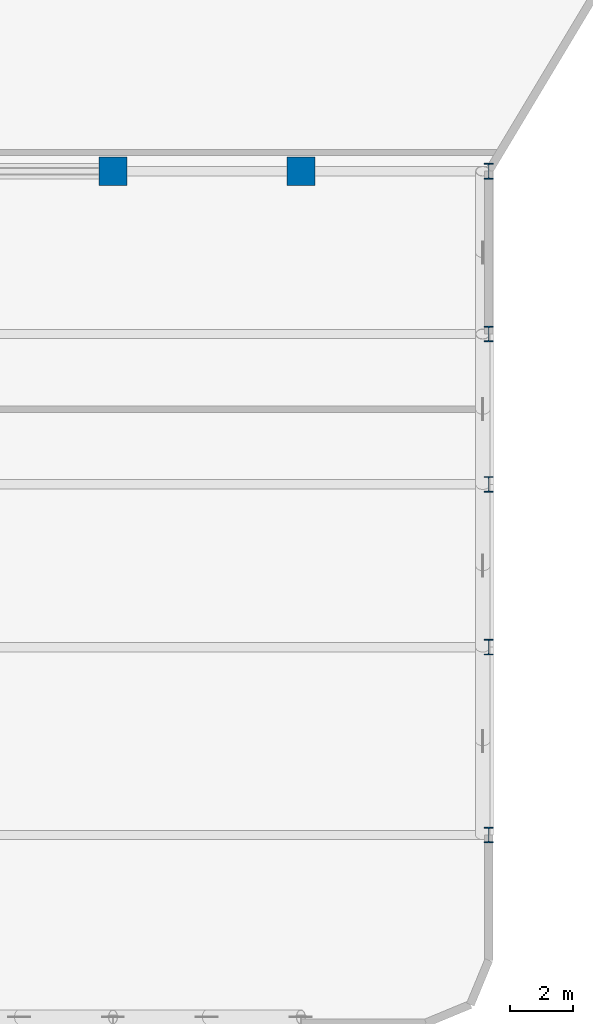
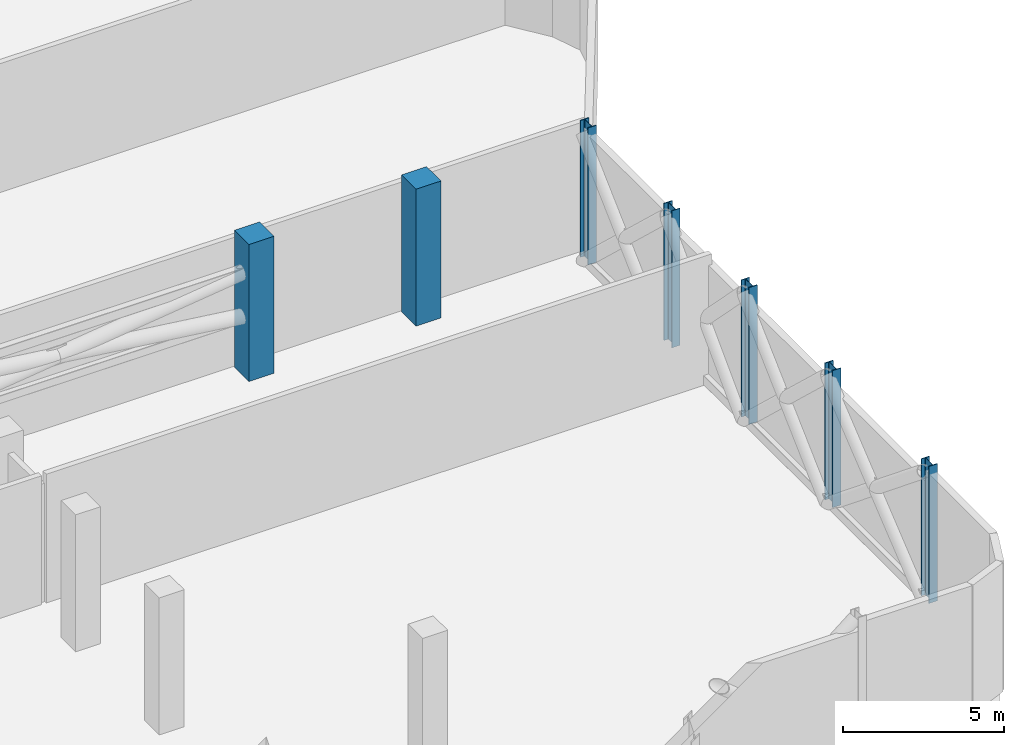
# One storey, part 2 of 12: 7 columns.
"""IFC4 building model written with IfcOpenShell, lengths in metres."""

import ifcopenshell
import ifcopenshell.guid

model = None  # the IFC model being written
_history = None  # IfcOwnerHistory: only IFC2X3 demands one
_inside = {}  # id of a spatial element -> (the spatial element, [elements in it])
_under = {}  # id of a project, library or spatial element -> (it, [spatial elements below it])
_declared = {}  # id of a project -> (the project, [libraries it declares])
_typed = {}  # id of a type object -> (the type object, [elements of that type])
_made_of = {}  # id of a material, layer set ... -> (it, [elements and type objects made of it])


def new_model(schema):
    """Start an empty IFC model of exactly this schema.

    Asked for "IFC4X3", IfcOpenShell would pick the latest addendum, in which some entities
    have other attributes; the version numbers below select the first issue.
    IFC2X3 requires an IfcOwnerHistory on every rooted entity: one is made here for all.
    """
    global model, _history
    if schema == "IFC4X3":
        model = ifcopenshell.file(schema_version=(4, 3, 0, 0))
    else:
        model = ifcopenshell.file(schema=schema)
    _inside.clear()
    _under.clear()
    _declared.clear()
    _typed.clear()
    _made_of.clear()
    _history = None
    if model.schema == "IFC2X3":
        org = make("IfcOrganization", Name="unknown")
        user = make(
            "IfcPersonAndOrganization",
            ThePerson=make("IfcPerson", FamilyName="unknown"),
            TheOrganization=org,
        )
        app = make(
            "IfcApplication",
            ApplicationDeveloper=org,
            Version="unknown",
            ApplicationFullName="unknown",
            ApplicationIdentifier="unknown",
        )
        _history = make(
            "IfcOwnerHistory",
            OwningUser=user,
            OwningApplication=app,
            ChangeAction="ADDED",
            CreationDate=0,
        )
    return model


def make(cls, **values):
    """One entity of the class cls with the attributes given. An attribute that is None is left unset."""
    return model.create_entity(
        cls, **{name: value for name, value in values.items() if value is not None}
    )


def rooted(cls, **values):
    """An entity with a GlobalId (a new one), such as an element, a storey or a relation."""
    return make(cls, GlobalId=ifcopenshell.guid.new(), OwnerHistory=_history, **values)


def si_unit(unit_type, name, prefix=None):
    """IfcSIUnit, for example si_unit("LENGTHUNIT", "METRE", prefix="MILLI")."""
    return make("IfcSIUnit", UnitType=unit_type, Prefix=prefix, Name=name)


def assignment(units):
    """IfcUnitAssignment: the units of a project."""
    return None if units is None else make("IfcUnitAssignment", Units=units)


def point(xyz):
    """IfcCartesianPoint."""
    return None if xyz is None else make("IfcCartesianPoint", Coordinates=xyz)


def direction(xyz):
    """IfcDirection."""
    return None if xyz is None else make("IfcDirection", DirectionRatios=xyz)


def frame(location, z_axis=None, x_axis=None):
    """IfcAxis2Placement3D, a coordinate frame: its origin and axes. An axis left out is left unset."""
    return make(
        "IfcAxis2Placement3D",
        Location=point(location),
        Axis=direction(z_axis),
        RefDirection=direction(x_axis),
    )


def frame_2d(location, x_axis=None):
    """IfcAxis2Placement2D, a coordinate frame in the plane: its origin and x axis."""
    return make(
        "IfcAxis2Placement2D", Location=point(location), RefDirection=direction(x_axis)
    )


def origin():
    """The frame at (0, 0, 0) with its axes left unset."""
    return frame((0.0, 0.0, 0.0))


def origin_2d():
    """The frame at (0, 0) in the plane with its x axis left unset."""
    return frame_2d((0.0, 0.0))


def place(relative_to, where):
    """IfcLocalPlacement: puts the frame where relative to a parent placement (None: the world)."""
    return make(
        "IfcLocalPlacement", PlacementRelTo=relative_to, RelativePlacement=where
    )


def context(
    kind, dimensions, precision=None, world=None, true_north=None, identifier=None
):
    """IfcGeometricRepresentationContext, for example the 3D "Model" context."""
    return make(
        "IfcGeometricRepresentationContext",
        ContextIdentifier=identifier,
        ContextType=kind,
        CoordinateSpaceDimension=dimensions,
        Precision=precision,
        WorldCoordinateSystem=world,
        TrueNorth=true_north,
    )


def subcontext(parent, identifier, kind, view, scale=None):
    """IfcGeometricRepresentationSubContext, for example "Body" below "Model"."""
    return make(
        "IfcGeometricRepresentationSubContext",
        ContextIdentifier=identifier,
        ContextType=kind,
        ParentContext=parent,
        TargetScale=scale,
        TargetView=view,
    )


def project(units=None, contexts=None):
    """IfcProject with its units and contexts."""
    return rooted(
        "IfcProject",
        Name="project",
        RepresentationContexts=contexts,
        UnitsInContext=assignment(units),
    )


def spatial(cls, under=None, at=None, **own):
    """A site, building, storey or space (cls), placed at a placement, below another one or the project."""
    s = rooted(cls, ObjectPlacement=at, **own)
    if under is not None:
        _under.setdefault(under.id(), (under, []))[1].append(s)
    return s


def profile(cls, at=None, kind="AREA", **sizes):
    """A parametric profile (cls). Its sizes go by their IFC names, for example OverallWidth=200.0."""
    return make(cls, ProfileType=kind, Position=at, **sizes)


def rectangle(**sizes):
    """IfcRectangleProfileDef."""
    return profile("IfcRectangleProfileDef", **sizes)


def i_section(**sizes):
    """IfcIShapeProfileDef."""
    return profile("IfcIShapeProfileDef", **sizes)


def extrude(swept, where, along, depth):
    """IfcExtrudedAreaSolid: the profile swept, set in the frame where, extruded along a direction by depth."""
    return make(
        "IfcExtrudedAreaSolid",
        SweptArea=swept,
        Position=where,
        ExtrudedDirection=direction(along),
        Depth=depth,
    )


def shape(context_of_items, identifier, shape_type, items):
    """IfcShapeRepresentation: the items that make up one representation, for example the "Body"."""
    return make(
        "IfcShapeRepresentation",
        ContextOfItems=context_of_items,
        RepresentationIdentifier=identifier,
        RepresentationType=shape_type,
        Items=items,
    )


def material(Name=None, Category=None):
    """IfcMaterial."""
    return make("IfcMaterial", Name=Name, Category=Category)


def material_profile(
    of_material, cross_section, Name=None, Category=None, Priority=None
):
    """IfcMaterialProfile: a cross section and its material."""
    return make(
        "IfcMaterialProfile",
        Name=Name,
        Material=of_material,
        Profile=cross_section,
        Priority=Priority,
        Category=Category,
    )


def profile_set(profiles, Name=None, composite=None):
    """IfcMaterialProfileSet."""
    return make(
        "IfcMaterialProfileSet",
        Name=Name,
        MaterialProfiles=profiles,
        CompositeProfile=composite,
    )


def made_of(thing, what):
    """Note that an element or type object is made of a material, layer set ...; save() writes the relation."""
    if what is not None:
        _made_of.setdefault(what.id(), (what, []))[1].append(thing)
    return thing


def type_object(cls, material=None, **own):
    """A type object (cls), such as IfcWallType, which elements share."""
    return made_of(rooted(cls, **own), material)


def element(
    cls,
    number,
    at=None,
    inside=None,
    cuts=None,
    type_object=None,
    material=None,
    context=None,
    identifier="Body",
    shape_type=None,
    held_by="IfcProductDefinitionShape",
    body=None,
    shapes=None,
    **own,
):
    """One element of the class cls, such as IfcWall. Its Tag is "e" and its number.

    at: its placement. inside: the storey or other place that contains it. cuts: it is an
    opening in that element (IfcRelVoidsElement). A single representation is given by context,
    identifier, shape_type and body (its items); several are given by shapes. held_by: the class
    of the entity that holds the representations. save() writes the other relations.
    """
    e = rooted(cls, Tag="e%d" % number, ObjectPlacement=at, **own)
    if body is not None:
        shapes = [shape(context, identifier, shape_type, body)]
    if shapes is not None:
        e.Representation = make(held_by, Representations=shapes)
    if inside is not None:
        _inside.setdefault(inside.id(), (inside, []))[1].append(e)
    if cuts is not None:
        rooted(
            "IfcRelVoidsElement", RelatingBuildingElement=cuts, RelatedOpeningElement=e
        )
    if type_object is not None:
        _typed.setdefault(type_object.id(), (type_object, []))[1].append(e)
    return made_of(e, material)


def aggregate(whole, parts):
    """IfcRelAggregates: a whole, such as a stair, and the parts it consists of."""
    return rooted("IfcRelAggregates", RelatingObject=whole, RelatedObjects=parts)


def save(model, path):
    """Write the relations noted so far, then the file.

    IfcRelAggregates (storeys below a building ...), IfcRelContainedInSpatialStructure (elements
    in a storey), IfcRelDefinesByType, IfcRelAssociatesMaterial and IfcRelDeclares: one each for
    every whole, place, type object, material and project.
    """
    for whole, parts in _under.values():
        aggregate(whole, parts)
    for where, things in _inside.values():
        rooted(
            "IfcRelContainedInSpatialStructure",
            RelatedElements=things,
            RelatingStructure=where,
        )
    for kind, things in _typed.values():
        rooted("IfcRelDefinesByType", RelatedObjects=things, RelatingType=kind)
    for what, things in _made_of.values():
        rooted("IfcRelAssociatesMaterial", RelatedObjects=things, RelatingMaterial=what)
    for by, libraries in _declared.values():
        rooted("IfcRelDeclares", RelatingContext=by, RelatedDefinitions=libraries)
    model.write(path)


model = new_model("IFC4")

# Units and contexts
model_context = context("Model", 3, precision=1e-05, world=origin(), true_north=direction((0.0, 1.0)))
body_context = subcontext(model_context, "Body", "Model", "MODEL_VIEW")
ifc_project = project(units=[si_unit("LENGTHUNIT", "METRE"), si_unit("AREAUNIT", "SQUARE_METRE"), si_unit("VOLUMEUNIT", "CUBIC_METRE"), si_unit("PLANEANGLEUNIT", "RADIAN"), si_unit("MASSUNIT", "GRAM", prefix="KILO")], contexts=[model_context])

# Site, building, storey
site_placement = place(None, origin())
site = spatial("IfcSite", under=ifc_project, at=site_placement, CompositionType="ELEMENT")
building_placement = place(site_placement, origin())
building = spatial("IfcBuilding", under=site, at=building_placement, Name="Keshet Zoharim Tower", CompositionType="ELEMENT")
storey_placement = place(building_placement, frame((0.0, 0.0, 159.39990234375)))
storey = spatial("IfcBuildingStorey", under=building, at=storey_placement, Name="L39", CompositionType="ELEMENT", Elevation=159.39990234375)

# Columns
ifc_material_1 = material(Name="Steel S355", Category="steel")
ifc_material_profile_1 = material_profile(ifc_material_1, i_section(OverallWidth=0.300048828125, OverallDepth=0.5, WebThickness=0.014404296875, FlangeThickness=0.028076171875, FilletRadius=0.027099609375, at=origin_2d()), Name="HEB500")
ifc_profile_set_1 = profile_set([ifc_material_profile_1], Name="Steel S355")
column_type_1 = type_object("IfcColumnType", Name="COL-HEB500", PredefinedType="COLUMN", material=ifc_profile_set_1)
for number, where, z_axis, x_axis, name in (
    (1, (57.0, 6.699951171875, 0.0), (0.0, 0.0, 1.0), (1.0, 0.0, 0.0), "L39 Column 10B"),
    (2, (57.0, 12.699951171875, 0.0), (0.0, 0.0, 1.0), (1.0, 0.0, 0.0), "L39 Column 10C"),
    (3, (57.0, 17.89990234375, 0.0), (0.0, 0.0, 1.0), (1.0, 0.0, 0.0), "L39 Column 10D"),
    (4, (57.0, 22.699951171875, 0.0), (0.0, 0.0, 1.0), (1.0, 0.0, 0.0), "L39 Column 10E"),
    (5, (57.0, 27.89990234375, 0.0), (0.0, 0.0, 1.0), (1.0, 0.0, 0.0), "L39 Column 10F"),
):
    element("IfcColumn", number, at=place(storey_placement, frame(where, z_axis=z_axis, x_axis=x_axis)), inside=storey, type_object=column_type_1, Name=name, PredefinedType="COLUMN", context=body_context, shape_type="SweptSolid", body=[
        extrude(i_section(OverallWidth=0.300048828125, OverallDepth=0.5, WebThickness=0.014404296875, FlangeThickness=0.028076171875, FilletRadius=0.027099609375, at=origin_2d()), origin(), (0.0, 0.0, 1.0), 5.2001953125),
    ])
ifc_material_2 = material(Name="Concrete C60/75", Category="concrete")
ifc_material_profile_2 = material_profile(ifc_material_2, rectangle(XDim=0.89990234375, YDim=0.89990234375, at=origin_2d()), Name="RC900x900")
ifc_profile_set_2 = profile_set([ifc_material_profile_2], Name="Concrete C60/75")
column_type_2 = type_object("IfcColumnType", Name="COL-RC900", PredefinedType="COLUMN", material=ifc_profile_set_2)
for number, where, z_axis, x_axis, name in (
    (6, (45.0, 27.89990234375, 0.0), (0.0, 0.0, 1.0), (1.0, 0.0, 0.0), "L39 Column 8F"),
    (7, (51.0, 27.89990234375, 0.0), (0.0, 0.0, 1.0), (1.0, 0.0, 0.0), "L39 Column 9F"),
):
    element("IfcColumn", number, at=place(storey_placement, frame(where, z_axis=z_axis, x_axis=x_axis)), inside=storey, type_object=column_type_2, Name=name, PredefinedType="COLUMN", context=body_context, shape_type="SweptSolid", body=[
        extrude(rectangle(XDim=0.89990234375, YDim=0.89990234375, at=origin_2d()), origin(), (0.0, 0.0, 1.0), 5.2001953125),
    ])

save(model, "model.ifc")
